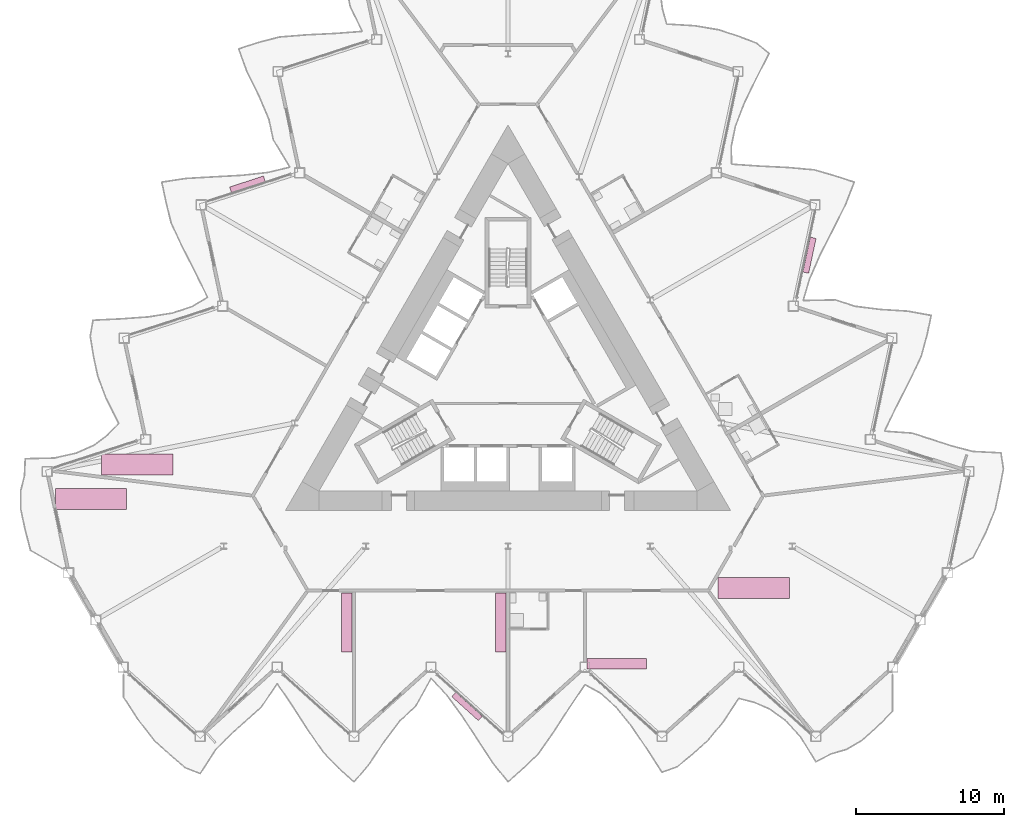
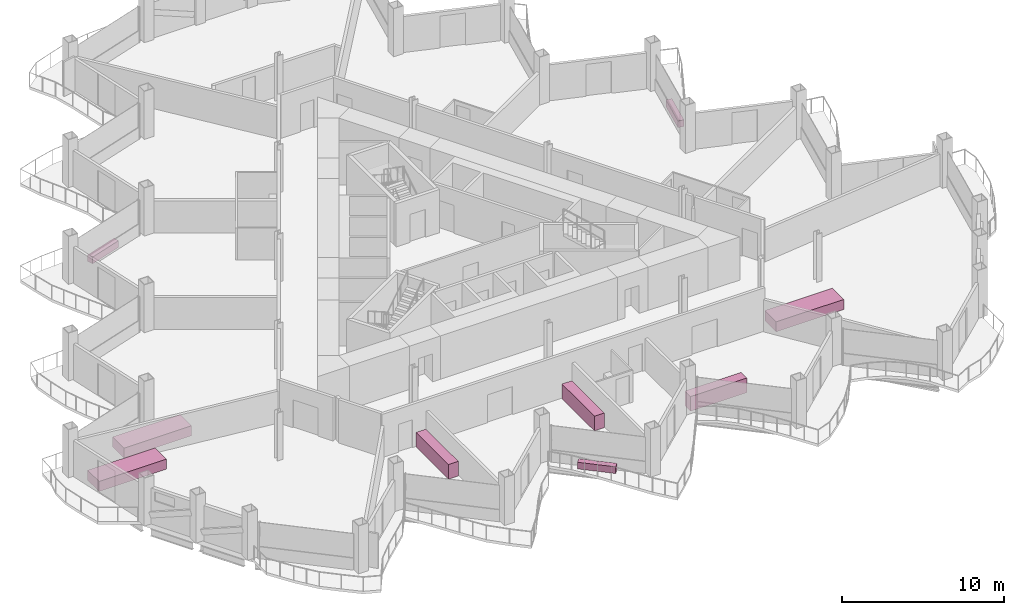
# One storey, part 24 of 24: 9 furniture elements.
"""IFC4 building model written with IfcOpenShell, lengths in metres."""

from ifc_helpers import new_model, si_unit, direction, frame, origin, origin_2d, place, context, subcontext, project, spatial, rectangle, extrude, material, type_object, element, save


model = new_model("IFC4")

# Units and contexts
model_context = context("Model", 3, precision=1e-05, world=origin(), true_north=direction((0.0, 1.0)))
body_context = subcontext(model_context, "Body", "Model", "MODEL_VIEW")
ifc_project = project(units=[si_unit("LENGTHUNIT", "METRE"), si_unit("AREAUNIT", "SQUARE_METRE"), si_unit("VOLUMEUNIT", "CUBIC_METRE"), si_unit("PLANEANGLEUNIT", "RADIAN"), si_unit("MASSUNIT", "GRAM", prefix="KILO")], contexts=[model_context])

# Site, building, storey
site_placement = place(None, origin())
site = spatial("IfcSite", under=ifc_project, at=site_placement, CompositionType="ELEMENT")
building_placement = place(site_placement, origin())
building = spatial("IfcBuilding", under=site, at=building_placement, Name="Cormorant Prow Tower", CompositionType="ELEMENT")
storey_placement = place(building_placement, frame((0.0, 0.0, 274.199951171875)))
storey = spatial("IfcBuildingStorey", under=building, at=storey_placement, Name="L62", CompositionType="ELEMENT", Elevation=274.199951171875)

# Furniture
ifc_material_1 = material(Name="Terracotta", Category="masonry")
furniture_type_1 = type_object("IfcFurnitureType", Name="Balcony planter 2400x400x500", AssemblyPlace="NOTDEFINED", PredefinedType="USERDEFINED", material=ifc_material_1)
for number, where, z_axis, x_axis, name in (
    (1, (-2.760009765625, -21.86669921875, 0.0), (0.0, 0.0, 1.0), (0.743144822266, -0.669130609926, 0.0), "Balcony planter S04"),
    (2, (20.317138671875, 8.543212890625, 0.0), (0.0, 0.0, 1.0), (0.207911705739, 0.978147597562, 0.0), "Balcony planter ENE04"),
    (3, (-17.55712890625, 13.323486328125, 0.0), (0.0, 0.0, 1.0), (-0.95105651684, -0.309016992698, 0.0), "Balcony planter WNW04"),
):
    element("IfcFurniture", number, at=place(storey_placement, frame(where, z_axis=z_axis, x_axis=x_axis)), inside=storey, type_object=furniture_type_1, Name=name, ObjectType="PLANTER", PredefinedType="USERDEFINED", context=body_context, shape_type="SweptSolid", body=[
        extrude(rectangle(XDim=2.39990234375, YDim=0.39990234375, at=origin_2d()), origin(), (0.0, 0.0, 1.0), 0.5),
    ])
ifc_material_2 = material(Name="Timber joinery", Category="wood")
furniture_type_2 = type_object("IfcFurnitureType", Name="Bar counter 4000x700", AssemblyPlace="NOTDEFINED", PredefinedType="NOTDEFINED", material=ifc_material_2)
for number, where, z_axis, x_axis, name in (
    (4, (-10.865478515625, -16.205322265625, 0.0), (0.0, 0.0, 1.0), (0.0, -1.0, 0.0), "Bar counter"),
    (5, (-0.4951171875, -16.205322265625, 0.0), (0.0, 0.0, 1.0), (0.0, -1.0, 0.0), "Bar counter"),
    (6, (7.330078125, -18.987548828125, 0.0), (0.0, 0.0, 1.0), (1.0, 0.0, 0.0), "Bar counter"),
):
    element("IfcFurniture", number, at=place(storey_placement, frame(where, z_axis=z_axis, x_axis=x_axis)), inside=storey, type_object=furniture_type_2, Name=name, PredefinedType="NOTDEFINED", context=body_context, shape_type="SweptSolid", body=[
        extrude(rectangle(XDim=4.0, YDim=0.699951171875, at=origin_2d()), origin(), (0.0, 0.0, 1.0), 1.10009765625),
    ])
ifc_material_3 = material(Name="Timber joinery", Category="wood")
furniture_type_3 = type_object("IfcFurnitureType", Name="Conference table 4800x1400", AssemblyPlace="NOTDEFINED", PredefinedType="TABLE", material=ifc_material_3)
for number, where, z_axis, x_axis, name in (
    (7, (16.561767578125, -13.887451171875, 0.0), (0.0, 0.0, 1.0), (1.0, 0.0, 0.0), "Conference table"),
    (8, (-24.98828125, -5.55810546875, 0.0), (0.0, 0.0, 1.0), (1.0, 0.0, 0.0), "Conference table"),
    (9, (-28.101806640625, -7.887451171875, 0.0), (0.0, 0.0, 1.0), (1.0, 0.0, 0.0), "Conference table"),
):
    element("IfcFurniture", number, at=place(storey_placement, frame(where, z_axis=z_axis, x_axis=x_axis)), inside=storey, type_object=furniture_type_3, Name=name, PredefinedType="TABLE", context=body_context, shape_type="SweptSolid", body=[
        extrude(rectangle(XDim=4.800048828125, YDim=1.39990234375, at=origin_2d()), origin(), (0.0, 0.0, 1.0), 0.75),
    ])

save(model, "model.ifc")
